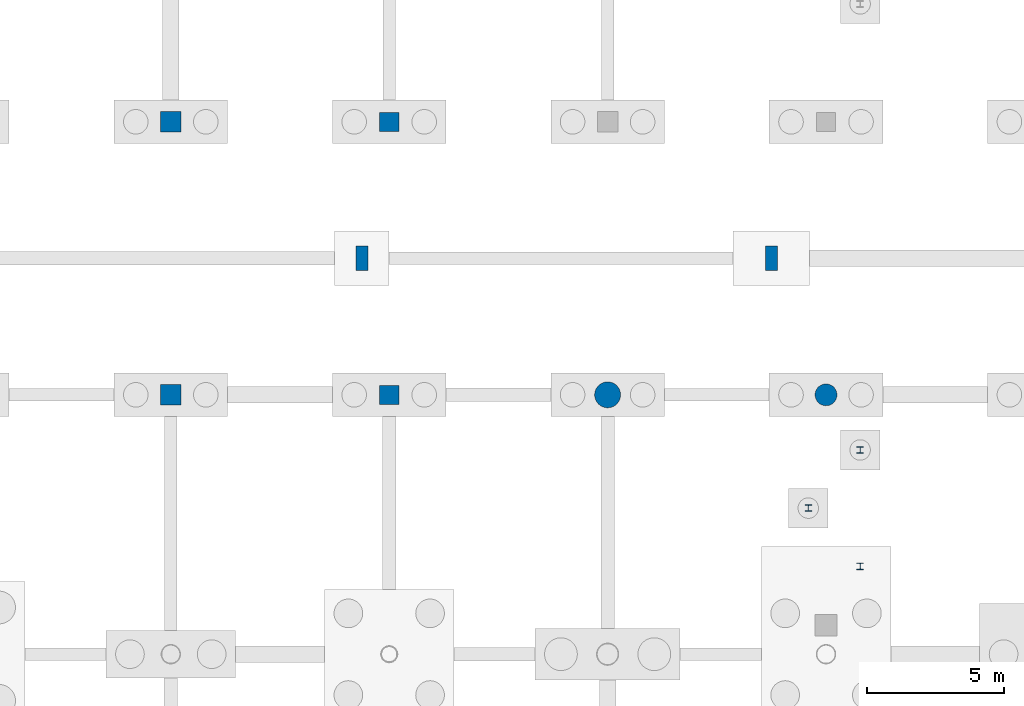
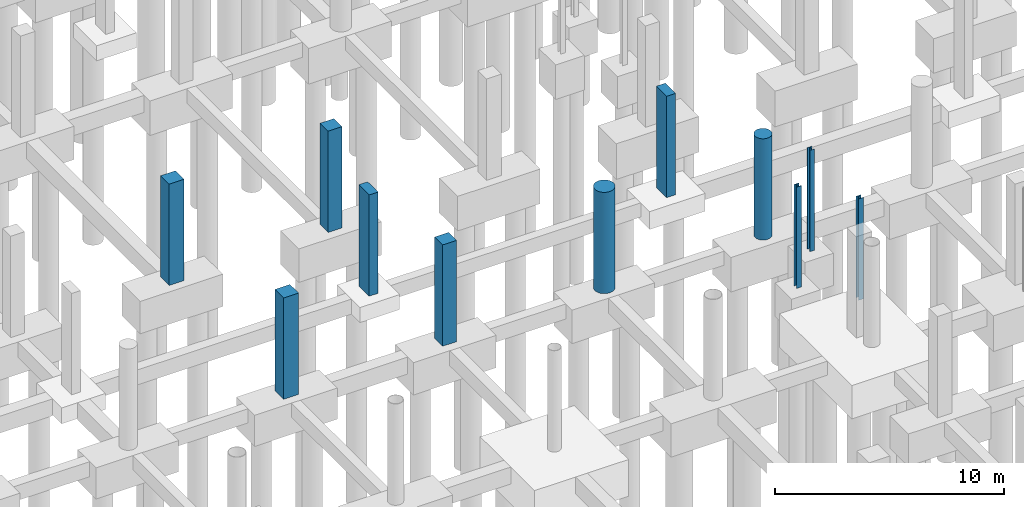
# One storey, part 42 of 65: 11 columns.
"""IFC4 building model written with IfcOpenShell, lengths in metres."""

from ifc_helpers import new_model, si_unit, direction, frame, origin, origin_2d, place, context, subcontext, project, spatial, rectangle, circle, i_section, extrude, material, material_profile, profile_set, type_object, element, save


model = new_model("IFC4")

# Units and contexts
model_context = context("Model", 3, precision=1e-05, world=origin(), true_north=direction((0.0, 1.0)))
body_context = subcontext(model_context, "Body", "Model", "MODEL_VIEW")
ifc_project = project(units=[si_unit("LENGTHUNIT", "METRE"), si_unit("AREAUNIT", "SQUARE_METRE"), si_unit("VOLUMEUNIT", "CUBIC_METRE"), si_unit("PLANEANGLEUNIT", "RADIAN"), si_unit("MASSUNIT", "GRAM", prefix="KILO")], contexts=[model_context])

# Site, building, storey
site_placement = place(None, origin())
site = spatial("IfcSite", under=ifc_project, at=site_placement, CompositionType="ELEMENT")
building_placement = place(site_placement, origin())
building = spatial("IfcBuilding", under=site, at=building_placement, Name="Khorjan Park Terminus", CompositionType="ELEMENT")
storey_placement = place(building_placement, frame((0.0, 0.0, -5.4)))
storey = spatial("IfcBuildingStorey", under=building, at=storey_placement, Name="B1", CompositionType="ELEMENT", Elevation=-5.4)

# Columns
ifc_material_1 = material(Name="Steel S355", Category="steel")
ifc_material_profile_1 = material_profile(ifc_material_1, i_section(OverallWidth=0.24, OverallDepth=0.24, WebThickness=0.01, FlangeThickness=0.017, FilletRadius=0.021, at=origin_2d()), Name="HEB 240")
ifc_profile_set_1 = profile_set([ifc_material_profile_1], Name="Steel S355")
column_type_1 = type_object("IfcColumnType", Name="COL-HB240", PredefinedType="COLUMN", material=ifc_profile_set_1)
for number, where, z_axis, x_axis, name in (
    (1, (113.25, 105.22, 0.0), (0.0, 0.0, 1.0), (1.0, 0.0, 0.0), "Structural column SC-H24 (B1 #996)"),
    (2, (113.25, 109.48, 0.0), (0.0, 0.0, 1.0), (1.0, 0.0, 0.0), "Structural column SC-H24 (B1 #998)"),
    (3, (111.35, 107.35, 0.0), (0.0, 0.0, 1.0), (1.0, 0.0, 0.0), "Structural column SC-H24 (B1 #1000)"),
):
    element("IfcColumn", number, at=place(storey_placement, frame(where, z_axis=z_axis, x_axis=x_axis)), inside=storey, type_object=column_type_1, Name=name, PredefinedType="COLUMN", context=body_context, shape_type="SweptSolid", body=[
        extrude(i_section(OverallWidth=0.24, OverallDepth=0.24, WebThickness=0.01, FlangeThickness=0.017, FilletRadius=0.021, at=origin_2d()), origin(), (0.0, 0.0, 1.0), 5.4),
    ])
ifc_material_2 = material(Name="Concrete C40/50", Category="concrete")
ifc_material_profile_2 = material_profile(ifc_material_2, rectangle(XDim=0.45, YDim=0.9, at=origin_2d()), Name="RC 450x900")
ifc_profile_set_2 = profile_set([ifc_material_profile_2], Name="Concrete C40/50")
column_type_2 = type_object("IfcColumnType", Name="COL-PIL900", PredefinedType="PILASTER", material=ifc_profile_set_2)
for number, where, z_axis, x_axis, name in (
    (4, (95.0, 116.5, 0.0), (0.0, 0.0, 1.0), (1.0, 0.0, 0.0), "Substructure track-bed pilaster CP-09 (7 B1)"),
    (5, (110.0, 116.5, 0.0), (0.0, 0.0, 1.0), (1.0, 0.0, 0.0), "Substructure track-bed pilaster CP-09 (8 B1)"),
):
    element("IfcColumn", number, at=place(storey_placement, frame(where, z_axis=z_axis, x_axis=x_axis)), inside=storey, type_object=column_type_2, Name=name, PredefinedType="PILASTER", context=body_context, shape_type="SweptSolid", body=[
        extrude(rectangle(XDim=0.45, YDim=0.9, at=origin_2d()), origin(), (0.0, 0.0, 1.0), 5.4),
    ])
ifc_material_profile_3 = material_profile(ifc_material_2, rectangle(XDim=0.7, YDim=0.7, at=origin_2d()), Name="RC 700x700")
ifc_profile_set_3 = profile_set([ifc_material_profile_3], Name="Concrete C40/50")
column_type_3 = type_object("IfcColumnType", Name="COL-RC700", PredefinedType="COLUMN", material=ifc_profile_set_3)
for number, where, z_axis, x_axis, name in (
    (6, (96.0, 111.5, 0.0), (0.0, 0.0, 1.0), (1.0, 0.0, 0.0), "Structural column C-RC07 (B1 #144)"),
    (7, (96.0, 121.5, 0.0), (0.0, 0.0, 1.0), (1.0, 0.0, 0.0), "Structural column C-RC07 (B1 #145)"),
):
    element("IfcColumn", number, at=place(storey_placement, frame(where, z_axis=z_axis, x_axis=x_axis)), inside=storey, type_object=column_type_3, Name=name, PredefinedType="COLUMN", context=body_context, shape_type="SweptSolid", body=[
        extrude(rectangle(XDim=0.7, YDim=0.7, at=origin_2d()), origin(), (0.0, 0.0, 1.0), 5.4),
    ])
ifc_material_profile_4 = material_profile(ifc_material_2, rectangle(XDim=0.75, YDim=0.75, at=origin_2d()), Name="RC 750x750")
ifc_profile_set_4 = profile_set([ifc_material_profile_4], Name="Concrete C40/50")
column_type_4 = type_object("IfcColumnType", Name="COL-RC750", PredefinedType="COLUMN", material=ifc_profile_set_4)
for number, where, z_axis, x_axis, name in (
    (8, (88.0, 111.5, 0.0), (0.0, 0.0, 1.0), (1.0, 0.0, 0.0), "Structural column C-RC75 (B1 #132)"),
    (9, (88.0, 121.5, 0.0), (0.0, 0.0, 1.0), (1.0, 0.0, 0.0), "Structural column C-RC75 (B1 #133)"),
):
    element("IfcColumn", number, at=place(storey_placement, frame(where, z_axis=z_axis, x_axis=x_axis)), inside=storey, type_object=column_type_4, Name=name, PredefinedType="COLUMN", context=body_context, shape_type="SweptSolid", body=[
        extrude(rectangle(XDim=0.75, YDim=0.75, at=origin_2d()), origin(), (0.0, 0.0, 1.0), 5.4),
    ])
ifc_material_profile_5 = material_profile(ifc_material_2, circle(Radius=0.4, at=origin_2d()), Name="RC D800")
ifc_profile_set_5 = profile_set([ifc_material_profile_5], Name="Concrete C40/50")
column_type_5 = type_object("IfcColumnType", Name="COL-RD800", PredefinedType="COLUMN", material=ifc_profile_set_5)
column_1_placement = place(storey_placement, frame((112.0, 111.5, 0.0), z_axis=(0.0, 0.0, 1.0), x_axis=(1.0, 0.0, 0.0)))
element("IfcColumn", 10, at=column_1_placement, inside=storey, type_object=column_type_5, Name="Structural column C-RD80 (B1 #170)", PredefinedType="COLUMN", context=body_context, shape_type="SweptSolid", body=[
    extrude(circle(Radius=0.4, at=origin_2d()), origin(), (0.0, 0.0, 1.0), 5.4),
])
ifc_material_3 = material(Name="Concrete C50/60", Category="concrete")
ifc_material_profile_6 = material_profile(ifc_material_3, circle(Radius=0.475, at=origin_2d()), Name="RC D950")
ifc_profile_set_6 = profile_set([ifc_material_profile_6], Name="Concrete C50/60")
column_type_6 = type_object("IfcColumnType", Name="COL-RD950", PredefinedType="COLUMN", material=ifc_profile_set_6)
column_2_placement = place(storey_placement, frame((104.0, 111.5, 0.0), z_axis=(0.0, 0.0, 1.0), x_axis=(1.0, 0.0, 0.0)))
element("IfcColumn", 11, at=column_2_placement, inside=storey, type_object=column_type_6, Name="Structural column C-RD95 (B1 #156)", PredefinedType="COLUMN", context=body_context, shape_type="SweptSolid", body=[
    extrude(circle(Radius=0.475, at=origin_2d()), origin(), (0.0, 0.0, 1.0), 5.4),
])

save(model, "model.ifc")
